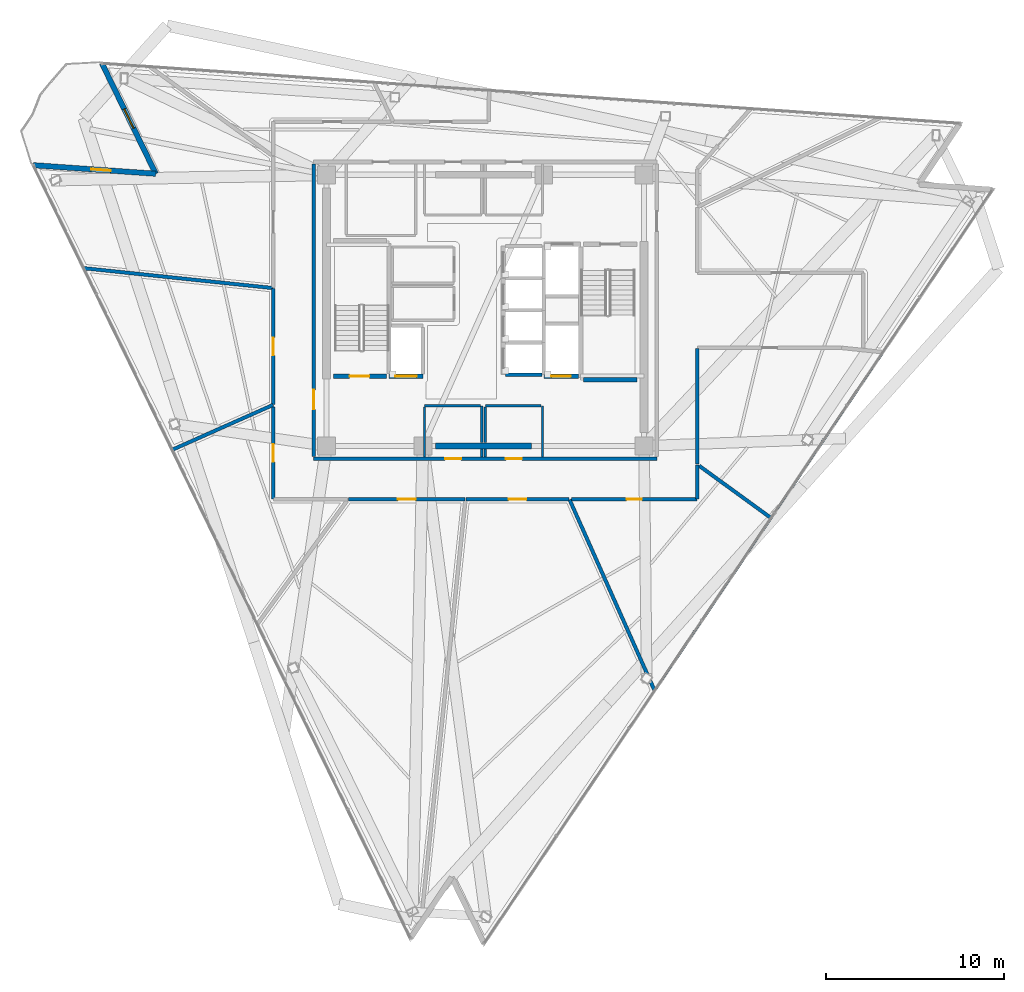
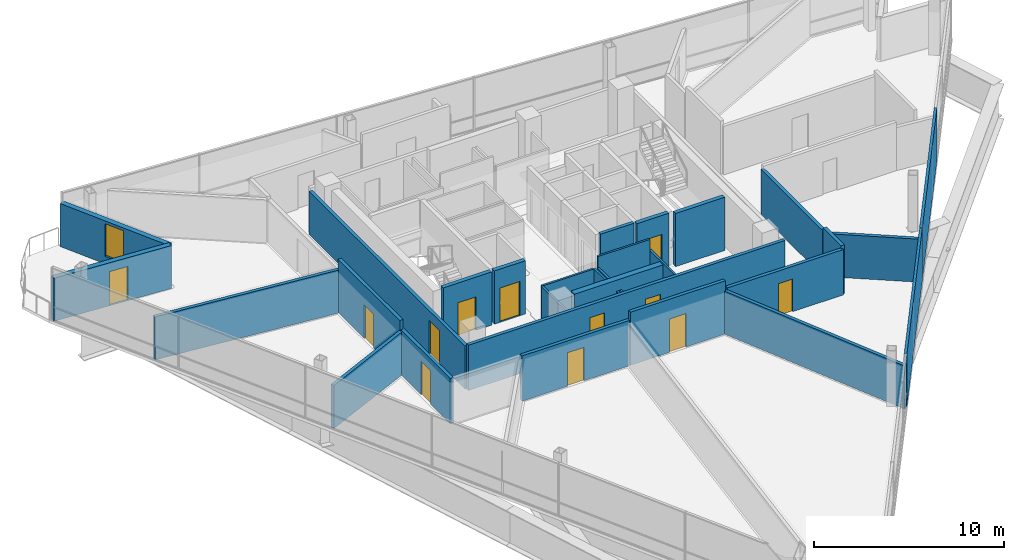
# One storey, part 9 of 14: 31 walls, 12 doors, 1 window, 13 openings.
"""IFC4 building model written with IfcOpenShell, lengths in metres."""

from ifc_helpers import new_model, si_unit, direction, frame, frame_2d, origin, place, context, subcontext, project, spatial, rectangle, extrude, material, layer, layer_set, type_object, element, fill, save


model = new_model("IFC4")

# Units and contexts
model_context = context("Model", 3, precision=1e-05, world=origin(), true_north=direction((0.0, 1.0)))
body_context = subcontext(model_context, "Body", "Model", "MODEL_VIEW")
ifc_project = project(units=[si_unit("LENGTHUNIT", "METRE"), si_unit("AREAUNIT", "SQUARE_METRE"), si_unit("VOLUMEUNIT", "CUBIC_METRE"), si_unit("PLANEANGLEUNIT", "RADIAN"), si_unit("MASSUNIT", "GRAM", prefix="KILO")], contexts=[model_context])

# Site, building, storey
site_placement = place(None, origin())
site = spatial("IfcSite", under=ifc_project, at=site_placement, CompositionType="ELEMENT")
building_placement = place(site_placement, origin())
building = spatial("IfcBuilding", under=site, at=building_placement, Name="Tharavind Bronze Gate", CompositionType="ELEMENT")
storey_placement = place(building_placement, frame((0.0, 0.0, 227.050048828125)))
storey = spatial("IfcBuildingStorey", under=building, at=storey_placement, Name="L58", CompositionType="ELEMENT", Elevation=227.050048828125)

# Wall, opening, window
ifc_material_1 = material(Name="Concrete C40/50", Category="concrete")
ifc_layer_1 = layer(ifc_material_1, 0.300048828125)
ifc_layer_set_1 = layer_set([ifc_layer_1], Name="Concrete C40/50")
wall_type_1 = type_object("IfcWallType", Name="EXTERIOR SPANDREL WALL 300", PredefinedType="STANDARD", material=ifc_layer_set_1)
wall_1_placement = place(storey_placement, frame((-21.489990234375, 13.844482421875, 0.0), z_axis=(0.0, 0.0, 1.0), x_axis=(0.438391471143, -0.898784133165, 0.0)))
wall_1 = element("IfcWall", 1, at=wall_1_placement, inside=storey, type_object=wall_type_1, Name="L58 notch cheek wall 1A", PredefinedType="STANDARD", context=body_context, shape_type="SweptSolid", body=[
    extrude(rectangle(XDim=6.8798828125, YDim=0.300048828125, at=frame_2d((3.43994140625, 0.0))), origin(), (0.0, 0.0, 1.0), 2.764892578125),
])
opening_1_placement = place(wall_1_placement, frame((2.840087890625, 0.0, 0.485107421875)))
opening_1 = element("IfcOpeningElement", 2, at=opening_1_placement, cuts=wall_1, Name="Opening W01", PredefinedType="OPENING", context=body_context, shape_type="SweptSolid", body=[
    extrude(rectangle(XDim=1.199951171875, YDim=2.10009765625, at=frame_2d((0.60009765625, 1.050048828125))), frame((0.0, 0.15990234375, 0.0), z_axis=(0.0, -1.0, 0.0), x_axis=(1.0, 0.0, 0.0)), (0.0, 0.0, 1.0), 0.320048828125),
])
ifc_material_2 = material(Name="Bronze Aluminium & Low-E Glass", Category="aluminium")
window_type = type_object("IfcWindowType", Name="FIXED BRONZE CASEMENT WINDOW 1200X2100", PartitioningType="SINGLE_PANEL", PredefinedType="WINDOW", material=ifc_material_2)
window_placement = place(opening_1_placement, origin())
window = element("IfcWindow", 3, at=window_placement, inside=storey, type_object=window_type, Name="L58 exterior window WL-L58-NCB1-01", OverallHeight=2.10009765625, OverallWidth=1.199951171875, PartitioningType="SINGLE_PANEL", PredefinedType="WINDOW", context=body_context, shape_type="SweptSolid", body=[
    extrude(rectangle(XDim=1.199951171875, YDim=2.10009765625, at=frame_2d((0.60009765625, 1.050048828125))), frame((0.0, 0.030029296875, 0.0), z_axis=(0.0, -1.0, 0.0), x_axis=(1.0, 0.0, 0.0)), (0.0, 0.0, 1.0), 0.06005859375),
])
fill(opening_1, window)

# Wall, opening, door
wall_2_placement = place(storey_placement, frame((-18.473876953125, 7.660888671875, 0.0), z_axis=(0.0, 0.0, 1.0), x_axis=(-0.997565982203, 0.069728840176, 0.0)))
wall_2 = element("IfcWall", 4, at=wall_2_placement, inside=storey, type_object=wall_type_1, Name="L58 notch cheek wall 1B", PredefinedType="STANDARD", context=body_context, shape_type="SweptSolid", body=[
    extrude(rectangle(XDim=6.880126953125, YDim=0.300048828125, at=frame_2d((3.43994140625, 0.0))), origin(), (0.0, 0.0, 1.0), 2.764892578125),
])
opening_2_placement = place(wall_2_placement, frame((2.531982421875, 0.0, 0.0)))
opening_2 = element("IfcOpeningElement", 5, at=opening_2_placement, cuts=wall_2, Name="Opening ED04", PredefinedType="OPENING", context=body_context, shape_type="SweptSolid", body=[
    extrude(rectangle(XDim=1.10009765625, YDim=2.199951171875, at=frame_2d((0.550048828125, 1.10009765625))), frame((0.0, 0.15990234375, 0.0), z_axis=(0.0, -1.0, 0.0), x_axis=(1.0, 0.0, 0.0)), (0.0, 0.0, 1.0), 0.320048828125),
])
ifc_material_3 = material(Name="Bronze Aluminium & Toughened Glass", Category="aluminium")
door_type_1 = type_object("IfcDoorType", Name="TREE BALCONY ACCESS DOOR 1100X2200", OperationType="SINGLE_SWING_LEFT", PredefinedType="DOOR", material=ifc_material_3)
door_1_placement = place(opening_2_placement, origin())
door_1 = element("IfcDoor", 6, at=door_1_placement, inside=storey, type_object=door_type_1, Name="L58 tree balcony access door", OperationType="SINGLE_SWING_LEFT", OverallHeight=2.199951171875, OverallWidth=1.10009765625, PredefinedType="DOOR", context=body_context, shape_type="SweptSolid", body=[
    extrude(rectangle(XDim=1.10009765625, YDim=2.199951171875, at=frame_2d((0.550048828125, 1.10009765625))), frame((0.0, 0.02490234375, 0.0), z_axis=(0.0, -1.0, 0.0), x_axis=(1.0, 0.0, 0.0)), (0.0, 0.0, 1.0), 0.050048828125),
])
fill(opening_2, door_1)

# Wall, openings, doors
ifc_material_4 = material(Name="Aerated Concrete Block", Category="concrete")
ifc_layer_2 = layer(ifc_material_4, 0.199951171875)
ifc_layer_set_2 = layer_set([ifc_layer_2], Name="Aerated Concrete Block")
wall_type_2 = type_object("IfcWallType", Name="FIRE RATED PARTITION 200", PredefinedType="PARTITIONING", material=ifc_layer_set_2)
wall_3_placement = place(storey_placement, frame((-9.6201171875, -8.320068359375, 0.0), z_axis=(0.0, 0.0, 1.0), x_axis=(1.0, 0.0, 0.0)))
wall_3 = element("IfcWall", 7, at=wall_3_placement, inside=storey, type_object=wall_type_2, Name="L58 south core corridor wall", PredefinedType="PARTITIONING", context=body_context, shape_type="SweptSolid", body=[
    extrude(rectangle(XDim=19.240234375, YDim=0.199951171875, at=frame_2d((9.6201171875, 0.0))), origin(), (0.0, 0.0, 1.0), 2.9150390625),
])
opening_3_placement = place(wall_3_placement, frame((7.3701171875, 0.0, 0.0)))
opening_3 = element("IfcOpeningElement", 8, at=opening_3_placement, cuts=wall_3, Name="Opening ID07", PredefinedType="OPENING", context=body_context, shape_type="SweptSolid", body=[
    extrude(rectangle(XDim=0.89990234375, YDim=2.10009765625, at=frame_2d((0.449951171875, 1.050048828125))), frame((0.0, 0.11009765625, 0.0), z_axis=(0.0, -1.0, 0.0), x_axis=(1.0, 0.0, 0.0)), (0.0, 0.0, 1.0), 0.219951171875),
])
opening_4_placement = place(wall_3_placement, frame((10.77001953125, 0.0, 0.0)))
opening_4 = element("IfcOpeningElement", 9, at=opening_4_placement, cuts=wall_3, Name="Opening ID07", PredefinedType="OPENING", context=body_context, shape_type="SweptSolid", body=[
    extrude(rectangle(XDim=0.89990234375, YDim=2.10009765625, at=frame_2d((0.449951171875, 1.050048828125))), frame((0.0, 0.11009765625, 0.0), z_axis=(0.0, -1.0, 0.0), x_axis=(1.0, 0.0, 0.0)), (0.0, 0.0, 1.0), 0.219951171875),
])
ifc_material_5 = material(Name="Galvanised Fire Steel", Category="steel")
door_type_2 = type_object("IfcDoorType", Name="PLANT AND RISER FIRE DOOR 900X2100", OperationType="SINGLE_SWING_LEFT", PredefinedType="DOOR", material=ifc_material_5)
door_2_placement = place(opening_3_placement, frame((0.89990234375, 0.0, 0.0), z_axis=(0.0, 0.0, 1.0), x_axis=(-1.0, 0.0, 0.0)))
door_2 = element("IfcDoor", 10, at=door_2_placement, inside=storey, type_object=door_type_2, Name="L58 Core Archive Store fire door", OperationType="SINGLE_SWING_LEFT", OverallHeight=2.10009765625, OverallWidth=0.89990234375, PredefinedType="DOOR", context=body_context, shape_type="SweptSolid", body=[
    extrude(rectangle(XDim=0.89990234375, YDim=2.10009765625, at=frame_2d((0.449951171875, 1.050048828125))), frame((0.0, 0.02490234375, 0.0), z_axis=(0.0, -1.0, 0.0), x_axis=(1.0, 0.0, 0.0)), (0.0, 0.0, 1.0), 0.050048828125),
])
fill(opening_3, door_2)
door_3_placement = place(opening_4_placement, frame((0.89990234375, 0.0, 0.0), z_axis=(0.0, 0.0, 1.0), x_axis=(-1.0, 0.0, 0.0)))
door_3 = element("IfcDoor", 11, at=door_3_placement, inside=storey, type_object=door_type_2, Name="L58 Core Server Room fire door", OperationType="SINGLE_SWING_LEFT", OverallHeight=2.10009765625, OverallWidth=0.89990234375, PredefinedType="DOOR", context=body_context, shape_type="SweptSolid", body=[
    extrude(rectangle(XDim=0.89990234375, YDim=2.10009765625, at=frame_2d((0.449951171875, 1.050048828125))), frame((0.0, 0.02490234375, 0.0), z_axis=(0.0, -1.0, 0.0), x_axis=(1.0, 0.0, 0.0)), (0.0, 0.0, 1.0), 0.050048828125),
])
fill(opening_4, door_3)

# Wall, opening, door
wall_4_placement = place(storey_placement, frame((-9.6201171875, 8.199951171875, 0.0), z_axis=(0.0, 0.0, 1.0), x_axis=(0.0, -1.0, 0.0)))
wall_4 = element("IfcWall", 12, at=wall_4_placement, inside=storey, type_object=wall_type_2, Name="L58 west core corridor wall", PredefinedType="PARTITIONING", context=body_context, shape_type="SweptSolid", body=[
    extrude(rectangle(XDim=16.39990234375, YDim=0.199951171875, at=frame_2d((8.199951171875, 0.0))), origin(), (0.0, 0.0, 1.0), 2.764892578125),
])
opening_5_placement = place(wall_4_placement, frame((12.64990234375, 0.0, 0.0)))
opening_5 = element("IfcOpeningElement", 13, at=opening_5_placement, cuts=wall_4, Name="Opening ID01", PredefinedType="OPENING", context=body_context, shape_type="SweptSolid", body=[
    extrude(rectangle(XDim=1.10009765625, YDim=2.14990234375, at=frame_2d((0.550048828125, 1.074951171875))), frame((0.0, 0.11009765625, 0.0), z_axis=(0.0, -1.0, 0.0), x_axis=(1.0, 0.0, 0.0)), (0.0, 0.0, 1.0), 0.219951171875),
])
ifc_material_6 = material(Name="Fire-Rated Steel", Category="steel")
door_type_3 = type_object("IfcDoorType", Name="STAIR CORE FIRE DOOR 1100X2150", OperationType="SINGLE_SWING_LEFT", PredefinedType="DOOR", material=ifc_material_6)
door_4_placement = place(opening_5_placement, frame((1.10009765625, 0.0, 0.0), z_axis=(0.0, 0.0, 1.0), x_axis=(-1.0, 0.0, 0.0)))
door_4 = element("IfcDoor", 14, at=door_4_placement, inside=storey, type_object=door_type_3, Name="L58 south west stair lobby fire door", OperationType="SINGLE_SWING_LEFT", OverallHeight=2.14990234375, OverallWidth=1.10009765625, PredefinedType="DOOR", context=body_context, shape_type="SweptSolid", body=[
    extrude(rectangle(XDim=1.10009765625, YDim=2.14990234375, at=frame_2d((0.550048828125, 1.074951171875))), frame((0.0, 0.02490234375, 0.0), z_axis=(0.0, -1.0, 0.0), x_axis=(1.0, 0.0, 0.0)), (0.0, 0.0, 1.0), 0.050048828125),
])
fill(opening_5, door_4)

# Wall
wall_5_placement = place(storey_placement, frame((9.48876953125, -21.31201171875, 0.0), z_axis=(0.0, 0.0, 1.0), x_axis=(-0.406732299424, 0.913547391549, 0.0)))
element("IfcWall", 15, at=wall_5_placement, inside=storey, type_object=wall_type_2, Name="L58 Public Restrooms Block partition", PredefinedType="PARTITIONING", context=body_context, shape_type="SweptSolid", body=[
    extrude(rectangle(XDim=11.708984375, YDim=0.199951171875, at=frame_2d((5.8544921875, 0.0))), origin(), (0.0, 0.0, 1.0), 2.764892578125),
])

# Wall, opening, door
wall_6_placement = place(storey_placement, frame((4.825439453125, -10.580078125, 0.0), z_axis=(0.0, 0.0, 1.0), x_axis=(1.0, 0.0, 0.0)))
wall_6 = element("IfcWall", 16, at=wall_6_placement, inside=storey, type_object=wall_type_2, Name="L58 Public Restrooms Block partition", PredefinedType="PARTITIONING", context=body_context, shape_type="SweptSolid", body=[
    extrude(rectangle(XDim=7.053955078125, YDim=0.199951171875, at=frame_2d((3.52685546875, 0.0))), origin(), (0.0, 0.0, 1.0), 2.9150390625),
])
opening_6_placement = place(wall_6_placement, frame((3.10205078125, 0.0, 0.0)))
opening_6 = element("IfcOpeningElement", 17, at=opening_6_placement, cuts=wall_6, Name="Opening ID06", PredefinedType="OPENING", context=body_context, shape_type="SweptSolid", body=[
    extrude(rectangle(XDim=0.85009765625, YDim=2.10009765625, at=frame_2d((0.425048828125, 1.050048828125))), frame((0.0, 0.11009765625, 0.0), z_axis=(0.0, -1.0, 0.0), x_axis=(1.0, 0.0, 0.0)), (0.0, 0.0, 1.0), 0.219951171875),
])
ifc_material_7 = material(Name="Moisture-Resistant Timber", Category="wood")
door_type_4 = type_object("IfcDoorType", Name="BATHROOM PRIVACY DOOR 850X2100", OperationType="SINGLE_SWING_RIGHT", PredefinedType="DOOR", material=ifc_material_7)
door_5_placement = place(opening_6_placement, origin())
door_5 = element("IfcDoor", 18, at=door_5_placement, inside=storey, type_object=door_type_4, Name="L58 Public Restrooms Block door", OperationType="SINGLE_SWING_RIGHT", OverallHeight=2.10009765625, OverallWidth=0.85009765625, PredefinedType="DOOR", context=body_context, shape_type="SweptSolid", body=[
    extrude(rectangle(XDim=0.85009765625, YDim=2.10009765625, at=frame_2d((0.425048828125, 1.050048828125))), frame((0.0, 0.02490234375, 0.0), z_axis=(0.0, -1.0, 0.0), x_axis=(1.0, 0.0, 0.0)), (0.0, 0.0, 1.0), 0.050048828125),
])
fill(opening_6, door_5)

# Walls
wall_7_placement = place(storey_placement, frame((11.8798828125, -10.579345703125, 0.0), z_axis=(0.0, 0.0, 1.0), x_axis=(0.0, 1.0, 0.0)))
element("IfcWall", 19, at=wall_7_placement, inside=storey, type_object=wall_type_2, Name="L58 Public Restrooms Block partition", PredefinedType="PARTITIONING", context=body_context, shape_type="SweptSolid", body=[
    extrude(rectangle(XDim=1.89892578125, YDim=0.199951171875, at=frame_2d((0.949462890625, 0.0))), origin(), (0.0, 0.0, 1.0), 3.114990234375),
])
wall_8_placement = place(storey_placement, frame((11.985107421875, -8.70751953125, 0.0), z_axis=(0.0, 0.0, 1.0), x_axis=(0.809008579133, -0.587796834705, 0.0)))
element("IfcWall", 20, at=wall_8_placement, inside=storey, type_object=wall_type_2, Name="L58 Public Restrooms Block partition", PredefinedType="PARTITIONING", context=body_context, shape_type="SweptSolid", body=[
    extrude(rectangle(XDim=4.95751953125, YDim=0.199951171875, at=frame_2d((2.478759765625, 0.0))), origin(), (0.0, 0.0, 1.0), 2.764892578125),
])
wall_9_placement = place(storey_placement, frame((11.8798828125, -8.61865234375, 0.0), z_axis=(0.0, 0.0, 1.0), x_axis=(0.0, 1.0, 0.0)))
element("IfcWall", 21, at=wall_9_placement, inside=storey, type_object=wall_type_2, Name="L58 Public Restrooms Block partition", PredefinedType="PARTITIONING", context=body_context, shape_type="SweptSolid", body=[
    extrude(rectangle(XDim=6.49365234375, YDim=0.199951171875, at=frame_2d((3.246826171875, 0.0))), origin(), (0.0, 0.0, 1.0), 2.9150390625),
])
wall_10_placement = place(storey_placement, frame((-11.90771484375, 1.25146484375, 0.0), z_axis=(0.0, 0.0, 1.0), x_axis=(-0.994522384662, 0.104523807841, 0.0)))
element("IfcWall", 22, at=wall_10_placement, inside=storey, type_object=wall_type_2, Name="L58 Press Briefing Room partition", PredefinedType="PARTITIONING", context=body_context, shape_type="SweptSolid", body=[
    extrude(rectangle(XDim=10.657958984375, YDim=0.199951171875, at=frame_2d((5.3291015625, 0.0))), origin(), (0.0, 0.0, 1.0), 2.764892578125),
])

# Wall, opening, door
wall_11_placement = place(storey_placement, frame((-11.8798828125, 1.22607421875, 0.0), z_axis=(0.0, 0.0, 1.0), x_axis=(0.0, -1.0, 0.0)))
wall_11 = element("IfcWall", 23, at=wall_11_placement, inside=storey, type_object=wall_type_2, Name="L58 Envoys Study partition", PredefinedType="PARTITIONING", context=body_context, shape_type="SweptSolid", body=[
    extrude(rectangle(XDim=6.499267578125, YDim=0.199951171875, at=frame_2d((3.24951171875, 0.0))), origin(), (0.0, 0.0, 1.0), 3.419921875),
])
opening_7_placement = place(wall_11_placement, frame((2.75, 0.0, 0.0)))
opening_7 = element("IfcOpeningElement", 24, at=opening_7_placement, cuts=wall_11, Name="Opening ID04", PredefinedType="OPENING", context=body_context, shape_type="SweptSolid", body=[
    extrude(rectangle(XDim=1.0, YDim=2.14990234375, at=frame_2d((0.5, 1.074951171875))), frame((0.0, 0.11009765625, 0.0), z_axis=(0.0, -1.0, 0.0), x_axis=(1.0, 0.0, 0.0)), (0.0, 0.0, 1.0), 0.219951171875),
])
ifc_material_8 = material(Name="Bronze Framed Acoustic Timber", Category="wood")
door_type_5 = type_object("IfcDoorType", Name="OFFICE TENANCY DOOR 1000X2150", OperationType="SINGLE_SWING_RIGHT", PredefinedType="DOOR", material=ifc_material_8)
door_6_placement = place(opening_7_placement, origin())
door_6 = element("IfcDoor", 25, at=door_6_placement, inside=storey, type_object=door_type_5, Name="L58 Envoys Study door", OperationType="SINGLE_SWING_RIGHT", OverallHeight=2.14990234375, OverallWidth=1.0, PredefinedType="DOOR", context=body_context, shape_type="SweptSolid", body=[
    extrude(rectangle(XDim=1.0, YDim=2.14990234375, at=frame_2d((0.5, 1.074951171875))), frame((0.0, 0.02490234375, 0.0), z_axis=(0.0, -1.0, 0.0), x_axis=(1.0, 0.0, 0.0)), (0.0, 0.0, 1.0), 0.050048828125),
])
fill(opening_7, door_6)

# Wall
wall_12_placement = place(storey_placement, frame((-11.894775390625, -5.2958984375, 0.0), z_axis=(0.0, 0.0, 1.0), x_axis=(-0.913548703363, -0.406729352991, 0.0)))
element("IfcWall", 26, at=wall_12_placement, inside=storey, type_object=wall_type_2, Name="L58 Envoys Study partition", PredefinedType="PARTITIONING", context=body_context, shape_type="SweptSolid", body=[
    extrude(rectangle(XDim=6.171142578125, YDim=0.199951171875, at=frame_2d((3.08544921875, 0.0))), origin(), (0.0, 0.0, 1.0), 2.764892578125),
])

# Wall, opening, door
wall_13_placement = place(storey_placement, frame((-11.8798828125, -5.404296875, 0.0), z_axis=(0.0, 0.0, 1.0), x_axis=(0.0, -1.0, 0.0)))
wall_13 = element("IfcWall", 27, at=wall_13_placement, inside=storey, type_object=wall_type_2, Name="L58 Protocol Office partition", PredefinedType="PARTITIONING", context=body_context, shape_type="SweptSolid", body=[
    extrude(rectangle(XDim=5.175048828125, YDim=0.199951171875, at=frame_2d((2.58740234375, 0.0))), origin(), (0.0, 0.0, 1.0), 2.9150390625),
])
opening_8_placement = place(wall_13_placement, frame((2.087890625, 0.0, 0.0)))
opening_8 = element("IfcOpeningElement", 28, at=opening_8_placement, cuts=wall_13, Name="Opening ID04", PredefinedType="OPENING", context=body_context, shape_type="SweptSolid", body=[
    extrude(rectangle(XDim=1.0, YDim=2.14990234375, at=frame_2d((0.5, 1.074951171875))), frame((0.0, 0.11009765625, 0.0), z_axis=(0.0, -1.0, 0.0), x_axis=(1.0, 0.0, 0.0)), (0.0, 0.0, 1.0), 0.219951171875),
])
door_7_placement = place(opening_8_placement, origin())
door_7 = element("IfcDoor", 29, at=door_7_placement, inside=storey, type_object=door_type_5, Name="L58 Protocol Office door", OperationType="SINGLE_SWING_RIGHT", OverallHeight=2.14990234375, OverallWidth=1.0, PredefinedType="DOOR", context=body_context, shape_type="SweptSolid", body=[
    extrude(rectangle(XDim=1.0, YDim=2.14990234375, at=frame_2d((0.5, 1.074951171875))), frame((0.0, 0.02490234375, 0.0), z_axis=(0.0, -1.0, 0.0), x_axis=(1.0, 0.0, 0.0)), (0.0, 0.0, 1.0), 0.050048828125),
])
fill(opening_8, door_7)

wall_14_placement = place(storey_placement, frame((-7.674072265625, -10.580078125, 0.0), z_axis=(0.0, 0.0, 1.0), x_axis=(1.0, 0.0, 0.0)))
wall_14 = element("IfcWall", 30, at=wall_14_placement, inside=storey, type_object=wall_type_2, Name="L58 Chancery Office partition", PredefinedType="PARTITIONING", context=body_context, shape_type="SweptSolid", body=[
    extrude(rectangle(XDim=6.5341796875, YDim=0.199951171875, at=frame_2d((3.26708984375, 0.0))), origin(), (0.0, 0.0, 1.0), 2.9150390625),
])
opening_9_placement = place(wall_14_placement, frame((2.76708984375, 0.0, 0.0)))
opening_9 = element("IfcOpeningElement", 31, at=opening_9_placement, cuts=wall_14, Name="Opening ID04", PredefinedType="OPENING", context=body_context, shape_type="SweptSolid", body=[
    extrude(rectangle(XDim=1.0, YDim=2.14990234375, at=frame_2d((0.5, 1.074951171875))), frame((0.0, 0.11009765625, 0.0), z_axis=(0.0, -1.0, 0.0), x_axis=(1.0, 0.0, 0.0)), (0.0, 0.0, 1.0), 0.219951171875),
])
door_8_placement = place(opening_9_placement, origin())
door_8 = element("IfcDoor", 32, at=door_8_placement, inside=storey, type_object=door_type_5, Name="L58 Chancery Office door", OperationType="SINGLE_SWING_RIGHT", OverallHeight=2.14990234375, OverallWidth=1.0, PredefinedType="DOOR", context=body_context, shape_type="SweptSolid", body=[
    extrude(rectangle(XDim=1.0, YDim=2.14990234375, at=frame_2d((0.5, 1.074951171875))), frame((0.0, 0.02490234375, 0.0), z_axis=(0.0, -1.0, 0.0), x_axis=(1.0, 0.0, 0.0)), (0.0, 0.0, 1.0), 0.050048828125),
])
fill(opening_9, door_8)

wall_15_placement = place(storey_placement, frame((-1.089599609375, -10.580078125, 0.0), z_axis=(0.0, 0.0, 1.0), x_axis=(1.0, 0.0, 0.0)))
wall_15 = element("IfcWall", 33, at=wall_15_placement, inside=storey, type_object=wall_type_2, Name="L58 Attache Office partition", PredefinedType="PARTITIONING", context=body_context, shape_type="SweptSolid", body=[
    extrude(rectangle(XDim=5.783935546875, YDim=0.199951171875, at=frame_2d((2.89208984375, 0.0))), origin(), (0.0, 0.0, 1.0), 3.419921875),
])
opening_10_placement = place(wall_15_placement, frame((2.39208984375, 0.0, 0.0)))
opening_10 = element("IfcOpeningElement", 34, at=opening_10_placement, cuts=wall_15, Name="Opening ID04", PredefinedType="OPENING", context=body_context, shape_type="SweptSolid", body=[
    extrude(rectangle(XDim=1.0, YDim=2.14990234375, at=frame_2d((0.5, 1.074951171875))), frame((0.0, 0.11009765625, 0.0), z_axis=(0.0, -1.0, 0.0), x_axis=(1.0, 0.0, 0.0)), (0.0, 0.0, 1.0), 0.219951171875),
])
door_9_placement = place(opening_10_placement, origin())
door_9 = element("IfcDoor", 35, at=door_9_placement, inside=storey, type_object=door_type_5, Name="L58 Attache Office door", OperationType="SINGLE_SWING_RIGHT", OverallHeight=2.14990234375, OverallWidth=1.0, PredefinedType="DOOR", context=body_context, shape_type="SweptSolid", body=[
    extrude(rectangle(XDim=1.0, YDim=2.14990234375, at=frame_2d((0.5, 1.074951171875))), frame((0.0, 0.02490234375, 0.0), z_axis=(0.0, -1.0, 0.0), x_axis=(1.0, 0.0, 0.0)), (0.0, 0.0, 1.0), 0.050048828125),
])
fill(opening_10, door_9)

# Walls
ifc_material_9 = material(Name="Metal Stud Gypsum Partition", Category="gypsum")
ifc_layer_3 = layer(ifc_material_9, 0.1201171875)
ifc_layer_set_3 = layer_set([ifc_layer_3], Name="Metal Stud Gypsum Partition")
wall_type_3 = type_object("IfcWallType", Name="INTERIOR PARTITION WALL 120", PredefinedType="PARTITIONING", material=ifc_layer_set_3)
wall_16_placement = place(storey_placement, frame((-0.199951171875, -8.215087890625, 0.0), z_axis=(0.0, 0.0, 1.0), x_axis=(0.0, 1.0, 0.0)))
element("IfcWall", 36, at=wall_16_placement, inside=storey, type_object=wall_type_3, Name="L58 Core Archive Store partition 2", PredefinedType="PARTITIONING", context=body_context, shape_type="SweptSolid", body=[
    extrude(rectangle(XDim=0.43505859375, YDim=0.1201171875, at=frame_2d((0.217529296875, 0.0))), origin(), (0.0, 0.0, 1.0), 2.71484375),
])
wall_17_placement = place(storey_placement, frame((-0.199951171875, -7.419921875, 0.0), z_axis=(0.0, 0.0, 1.0), x_axis=(0.0, 1.0, 0.0)))
element("IfcWall", 37, at=wall_17_placement, inside=storey, type_object=wall_type_3, Name="L58 Core Archive Store partition 2", PredefinedType="PARTITIONING", context=body_context, shape_type="SweptSolid", body=[
    extrude(rectangle(XDim=2.06982421875, YDim=0.1201171875, at=frame_2d((1.034912109375, 0.0))), origin(), (0.0, 0.0, 1.0), 2.71484375),
])
wall_18_placement = place(storey_placement, frame((-0.264892578125, -5.35009765625, 0.0), z_axis=(0.0, 0.0, 1.0), x_axis=(-1.0, 0.0, 0.0)))
element("IfcWall", 38, at=wall_18_placement, inside=storey, type_object=wall_type_3, Name="L58 Core Archive Store partition 3", PredefinedType="PARTITIONING", context=body_context, shape_type="SweptSolid", body=[
    extrude(rectangle(XDim=3.135009765625, YDim=0.1201171875, at=frame_2d((1.5673828125, 0.0))), origin(), (0.0, 0.0, 1.0), 2.71484375),
])
wall_19_placement = place(storey_placement, frame((-3.39990234375, -5.4150390625, 0.0), z_axis=(0.0, 0.0, 1.0), x_axis=(0.0, -1.0, 0.0)))
element("IfcWall", 39, at=wall_19_placement, inside=storey, type_object=wall_type_3, Name="L58 Core Archive Store partition 4", PredefinedType="PARTITIONING", context=body_context, shape_type="SweptSolid", body=[
    extrude(rectangle(XDim=2.800048828125, YDim=0.1201171875, at=frame_2d((1.39990234375, 0.0))), origin(), (0.0, 0.0, 1.0), 2.71484375),
])
wall_20_placement = place(storey_placement, frame((3.199951171875, -8.215087890625, 0.0), z_axis=(0.0, 0.0, 1.0), x_axis=(0.0, 1.0, 0.0)))
element("IfcWall", 40, at=wall_20_placement, inside=storey, type_object=wall_type_3, Name="L58 Core Server Room partition 2", PredefinedType="PARTITIONING", context=body_context, shape_type="SweptSolid", body=[
    extrude(rectangle(XDim=2.864990234375, YDim=0.1201171875, at=frame_2d((1.4326171875, 0.0))), origin(), (0.0, 0.0, 1.0), 2.71484375),
])
wall_21_placement = place(storey_placement, frame((3.135009765625, -5.35009765625, 0.0), z_axis=(0.0, 0.0, 1.0), x_axis=(-1.0, 0.0, 0.0)))
element("IfcWall", 41, at=wall_21_placement, inside=storey, type_object=wall_type_3, Name="L58 Core Server Room partition 3", PredefinedType="PARTITIONING", context=body_context, shape_type="SweptSolid", body=[
    extrude(rectangle(XDim=3.135009765625, YDim=0.1201171875, at=frame_2d((1.5673828125, 0.0))), origin(), (0.0, 0.0, 1.0), 3.419921875),
])
wall_22_placement = place(storey_placement, frame((0.0, -5.4150390625, 0.0), z_axis=(0.0, 0.0, 1.0), x_axis=(0.0, -1.0, 0.0)))
element("IfcWall", 42, at=wall_22_placement, inside=storey, type_object=wall_type_3, Name="L58 Core Server Room partition 4", PredefinedType="PARTITIONING", context=body_context, shape_type="SweptSolid", body=[
    extrude(rectangle(XDim=2.0048828125, YDim=0.1201171875, at=frame_2d((1.00244140625, 0.0))), origin(), (0.0, 0.0, 1.0), 2.71484375),
])
wall_23_placement = place(storey_placement, frame((0.0, -7.780029296875, 0.0), z_axis=(0.0, 0.0, 1.0), x_axis=(0.0, -1.0, 0.0)))
element("IfcWall", 43, at=wall_23_placement, inside=storey, type_object=wall_type_3, Name="L58 Core Server Room partition 4", PredefinedType="PARTITIONING", context=body_context, shape_type="SweptSolid", body=[
    extrude(rectangle(XDim=0.43505859375, YDim=0.1201171875, at=frame_2d((0.217529296875, 0.0))), origin(), (0.0, 0.0, 1.0), 2.71484375),
])
ifc_material_10 = material(Name="Twin Stud Acoustic Gypsum", Category="gypsum")
ifc_layer_4 = layer(ifc_material_10, 0.14990234375)
ifc_layer_set_4 = layer_set([ifc_layer_4], Name="Twin Stud Acoustic Gypsum")
wall_type_4 = type_object("IfcWallType", Name="INTERIOR PARTITION WALL 150", PredefinedType="PARTITIONING", material=ifc_layer_set_4)
wall_24_placement = place(storey_placement, frame((16.001953125, -11.656005859375, 0.0), z_axis=(0.0, 0.0, 1.0), x_axis=(-0.559190096432, -0.82903946592, 0.0)))
element("IfcWall", 44, at=wall_24_placement, inside=storey, type_object=wall_type_4, Name="L58 Public Restrooms Block partition", PredefinedType="PARTITIONING", context=body_context, shape_type="SweptSolid", body=[
    extrude(rectangle(XDim=11.5234375, YDim=0.14990234375, at=frame_2d((5.76171875, 0.0))), origin(), (0.0, 0.0, 1.0), 3.419921875),
])
wall_25_placement = place(storey_placement, frame((22.2177734375, -2.440673828125, 0.0), z_axis=(0.0, 0.0, 1.0), x_axis=(-0.55920303242, -0.829030740402, 0.0)))
element("IfcWall", 45, at=wall_25_placement, inside=storey, type_object=wall_type_4, Name="L58 Public Restrooms Block partition", PredefinedType="PARTITIONING", context=body_context, shape_type="SweptSolid", body=[
    extrude(rectangle(XDim=11.065673828125, YDim=0.14990234375, at=frame_2d((5.53271484375, 0.0))), origin(), (0.0, 0.0, 1.0), 3.419921875),
])

# Wall, opening, door
ifc_material_11 = material(Name="Concrete C50/60", Category="concrete")
ifc_layer_5 = layer(ifc_material_11, 0.25)
ifc_layer_set_5 = layer_set([ifc_layer_5], Name="Concrete C50/60")
wall_type_5 = type_object("IfcWallType", Name="RC CORE SHEAR WALL 250", PredefinedType="SHEAR", material=ifc_layer_set_5)
wall_26_placement = place(storey_placement, frame((-8.5, -3.699951171875, 0.0), z_axis=(0.0, 0.0, 1.0), x_axis=(1.0, 0.0, 0.0)))
wall_26 = element("IfcWall", 46, at=wall_26_placement, inside=storey, type_object=wall_type_5, Name="L58 ST1 shaft south wall", PredefinedType="SHEAR", context=body_context, shape_type="SweptSolid", body=[
    extrude(rectangle(XDim=2.949951171875, YDim=0.25, at=frame_2d((1.47509765625, 0.0))), origin(), (0.0, 0.0, 1.0), 3.419921875),
])
opening_11_placement = place(wall_26_placement, frame((0.89990234375, 0.0, 0.0)))
opening_11 = element("IfcOpeningElement", 47, at=opening_11_placement, cuts=wall_26, Name="Opening ID01", PredefinedType="OPENING", context=body_context, shape_type="SweptSolid", body=[
    extrude(rectangle(XDim=1.10009765625, YDim=2.14990234375, at=frame_2d((0.550048828125, 1.074951171875))), frame((0.0, 0.135, 0.0), z_axis=(0.0, -1.0, 0.0), x_axis=(1.0, 0.0, 0.0)), (0.0, 0.0, 1.0), 0.27),
])
door_10_placement = place(opening_11_placement, origin())
door_10 = element("IfcDoor", 48, at=door_10_placement, inside=storey, type_object=door_type_3, Name="L58 exit stair ST1 fire door", OperationType="SINGLE_SWING_LEFT", OverallHeight=2.14990234375, OverallWidth=1.10009765625, PredefinedType="DOOR", context=body_context, shape_type="SweptSolid", body=[
    extrude(rectangle(XDim=1.10009765625, YDim=2.14990234375, at=frame_2d((0.550048828125, 1.074951171875))), frame((0.0, 0.02490234375, 0.0), z_axis=(0.0, -1.0, 0.0), x_axis=(1.0, 0.0, 0.0)), (0.0, 0.0, 1.0), 0.050048828125),
])
fill(opening_11, door_10)

# Wall
wall_27_placement = place(storey_placement, frame((5.5, -3.89990234375, 0.0), z_axis=(0.0, 0.0, 1.0), x_axis=(1.0, 0.0, 0.0)))
element("IfcWall", 49, at=wall_27_placement, inside=storey, type_object=wall_type_5, Name="L58 ST2 shaft south wall", PredefinedType="SHEAR", context=body_context, shape_type="SweptSolid", body=[
    extrude(rectangle(XDim=3.0, YDim=0.25, at=frame_2d((1.5, 0.0))), origin(), (0.0, 0.0, 1.0), 3.419921875),
])

# Wall, opening, door
wall_28_placement = place(storey_placement, frame((-5.39990234375, -3.699951171875, 0.0), z_axis=(0.0, 0.0, 1.0), x_axis=(1.0, 0.0, 0.0)))
wall_28 = element("IfcWall", 50, at=wall_28_placement, inside=storey, type_object=wall_type_5, Name="L58 lift FFL1 shaft front wall", PredefinedType="SHEAR", context=body_context, shape_type="SweptSolid", body=[
    extrude(rectangle(XDim=1.89990234375, YDim=0.25, at=frame_2d((0.949951171875, 0.0))), origin(), (0.0, 0.0, 1.0), 3.419921875),
])
opening_12_placement = place(wall_28_placement, frame((0.35009765625, 0.0, 0.0)))
opening_12 = element("IfcOpeningElement", 51, at=opening_12_placement, cuts=wall_28, Name="Opening LD02", PredefinedType="OPENING", context=body_context, shape_type="SweptSolid", body=[
    extrude(rectangle(XDim=1.199951171875, YDim=2.199951171875, at=frame_2d((0.60009765625, 1.10009765625))), frame((0.0, 0.135, 0.0), z_axis=(0.0, -1.0, 0.0), x_axis=(1.0, 0.0, 0.0)), (0.0, 0.0, 1.0), 0.27),
])
ifc_material_12 = material(Name="Brushed Stainless Steel", Category="steel")
door_type_6 = type_object("IfcDoorType", Name="FIREFIGHTING LIFT LANDING DOOR 1200X2200", OperationType="SLIDING_TO_RIGHT", PredefinedType="DOOR", material=ifc_material_12)
door_11_placement = place(opening_12_placement, origin())
door_11 = element("IfcDoor", 52, at=door_11_placement, inside=storey, type_object=door_type_6, Name="L58 lift FFL1 sliding landing door", OperationType="SLIDING_TO_RIGHT", OverallHeight=2.199951171875, OverallWidth=1.199951171875, PredefinedType="DOOR", context=body_context, shape_type="SweptSolid", body=[
    extrude(rectangle(XDim=1.199951171875, YDim=2.199951171875, at=frame_2d((0.60009765625, 1.10009765625))), frame((0.0, 0.02490234375, 0.0), z_axis=(0.0, -1.0, 0.0), x_axis=(1.0, 0.0, 0.0)), (0.0, 0.0, 1.0), 0.050048828125),
])
fill(opening_12, door_11)

wall_29_placement = place(storey_placement, frame((3.280029296875, -3.699951171875, 0.0), z_axis=(0.0, 0.0, 1.0), x_axis=(1.0, 0.0, 0.0)))
wall_29 = element("IfcWall", 53, at=wall_29_placement, inside=storey, type_object=wall_type_5, Name="L58 lift SVL1 shaft front wall", PredefinedType="SHEAR", context=body_context, shape_type="SweptSolid", body=[
    extrude(rectangle(XDim=1.93994140625, YDim=0.25, at=frame_2d((0.969970703125, 0.0))), origin(), (0.0, 0.0, 1.0), 3.419921875),
])
opening_13_placement = place(wall_29_placement, frame((0.419921875, 0.0, 0.0)))
opening_13 = element("IfcOpeningElement", 54, at=opening_13_placement, cuts=wall_29, Name="Opening LD01", PredefinedType="OPENING", context=body_context, shape_type="SweptSolid", body=[
    extrude(rectangle(XDim=1.10009765625, YDim=2.199951171875, at=frame_2d((0.550048828125, 1.10009765625))), frame((0.0, 0.135, 0.0), z_axis=(0.0, -1.0, 0.0), x_axis=(1.0, 0.0, 0.0)), (0.0, 0.0, 1.0), 0.27),
])
ifc_material_13 = material(Name="Brushed Bronze Stainless Steel", Category="steel")
door_type_7 = type_object("IfcDoorType", Name="LIFT LANDING SLIDING DOOR 1100X2200", OperationType="SLIDING_TO_LEFT", PredefinedType="DOOR", material=ifc_material_13)
door_12_placement = place(opening_13_placement, origin())
door_12 = element("IfcDoor", 55, at=door_12_placement, inside=storey, type_object=door_type_7, Name="L58 lift SVL1 sliding landing door", OperationType="SLIDING_TO_LEFT", OverallHeight=2.199951171875, OverallWidth=1.10009765625, PredefinedType="DOOR", context=body_context, shape_type="SweptSolid", body=[
    extrude(rectangle(XDim=1.10009765625, YDim=2.199951171875, at=frame_2d((0.550048828125, 1.10009765625))), frame((0.0, 0.02490234375, 0.0), z_axis=(0.0, -1.0, 0.0), x_axis=(1.0, 0.0, 0.0)), (0.0, 0.0, 1.0), 0.050048828125),
])
fill(opening_13, door_12)

# Walls
ifc_layer_6 = layer(ifc_material_11, 0.35009765625)
ifc_layer_set_6 = layer_set([ifc_layer_6], Name="Concrete C50/60")
wall_type_6 = type_object("IfcWallType", Name="RC CORE SHEAR WALL 350", PredefinedType="SHEAR", material=ifc_layer_set_6)
wall_30_placement = place(storey_placement, frame((-2.800048828125, -7.60009765625, 0.0), z_axis=(0.0, 0.0, 1.0), x_axis=(1.0, 0.0, 0.0)))
element("IfcWall", 56, at=wall_30_placement, inside=storey, type_object=wall_type_6, Name="L58 south core shear wall", PredefinedType="SHEAR", context=body_context, shape_type="SweptSolid", body=[
    extrude(rectangle(XDim=5.380126953125, YDim=0.35009765625, at=frame_2d((2.68994140625, 0.0))), origin(), (0.0, 0.0, 1.0), 3.419921875),
])
ifc_layer_7 = layer(ifc_material_1, 0.199951171875)
ifc_layer_set_7 = layer_set([ifc_layer_7], Name="Concrete C40/50")
wall_type_7 = type_object("IfcWallType", Name="SHAFT ENCLOSURE WALL 200", PredefinedType="PARTITIONING", material=ifc_layer_set_7)
wall_31_placement = place(storey_placement, frame((1.1298828125, -3.60009765625, 0.0), z_axis=(0.0, 0.0, 1.0), x_axis=(1.0, 0.0, 0.0)))
element("IfcWall", 57, at=wall_31_placement, inside=storey, type_object=wall_type_7, Name="L58 lift PL9 shaft S enclosure wall", PredefinedType="PARTITIONING", context=body_context, shape_type="SweptSolid", body=[
    extrude(rectangle(XDim=2.045166015625, YDim=0.199951171875, at=frame_2d((1.0224609375, 0.0))), origin(), (0.0, 0.0, 1.0), 3.419921875),
])

save(model, "model.ifc")
